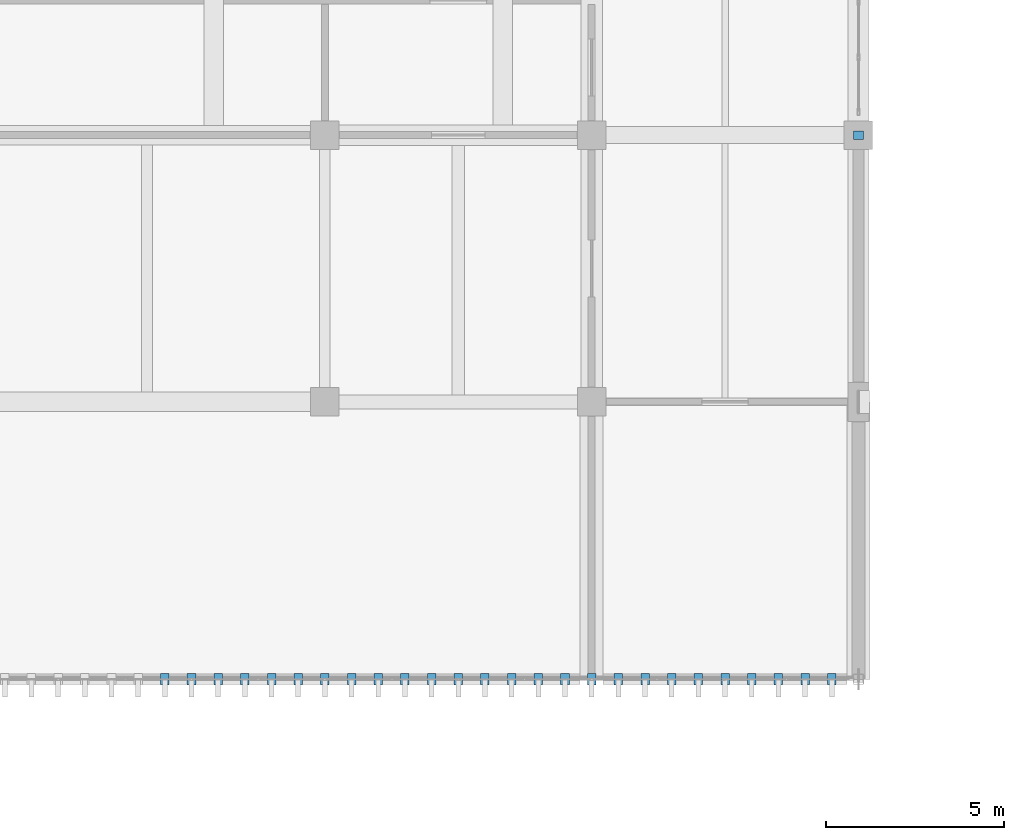
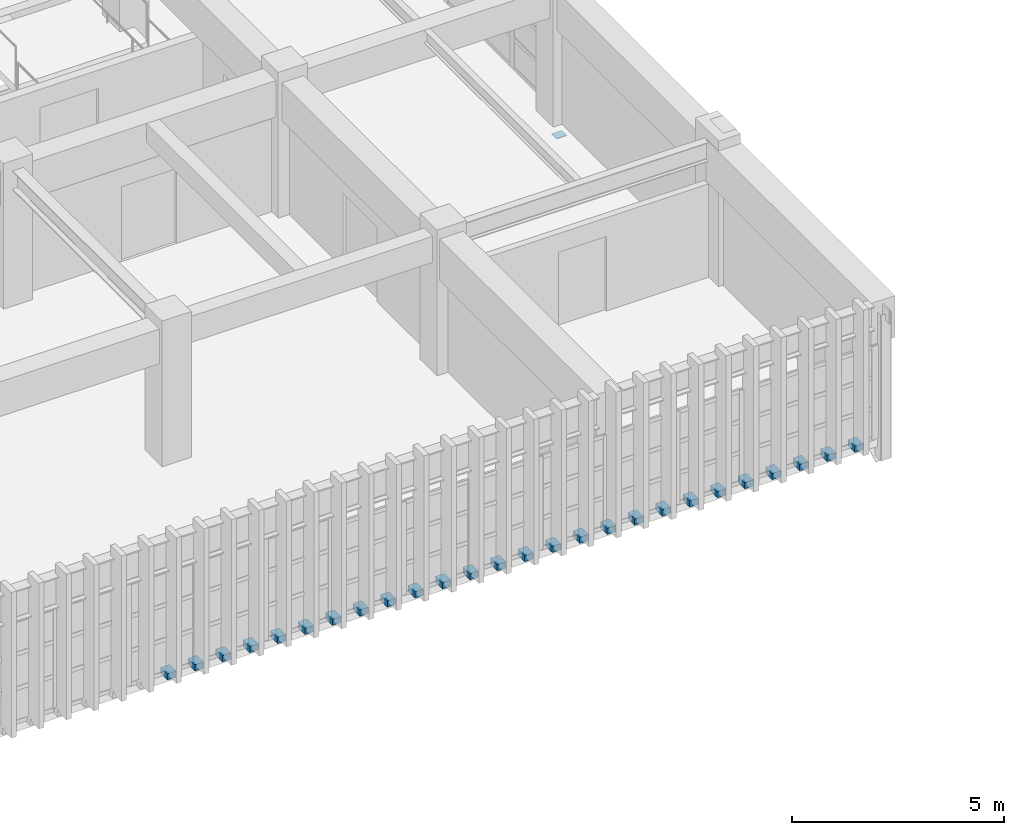
# One storey, part 104 of 124: 27 discrete accessories.
"""IFC4 building model written with IfcOpenShell, lengths in metres."""

from ifc_helpers import new_model, si_unit, direction, frame, origin, origin_2d, place, context, subcontext, project, spatial, rectangle, extrude, material, type_object, element, save


model = new_model("IFC4")

# Units and contexts
model_context = context("Model", 3, precision=1e-05, world=origin(), true_north=direction((0.0, 1.0)))
body_context = subcontext(model_context, "Body", "Model", "MODEL_VIEW")
ifc_project = project(units=[si_unit("LENGTHUNIT", "METRE"), si_unit("AREAUNIT", "SQUARE_METRE"), si_unit("VOLUMEUNIT", "CUBIC_METRE"), si_unit("PLANEANGLEUNIT", "RADIAN"), si_unit("MASSUNIT", "GRAM", prefix="KILO")], contexts=[model_context])

# Site, building, storey
site_placement = place(None, origin())
site = spatial("IfcSite", under=ifc_project, at=site_placement, CompositionType="ELEMENT")
building_placement = place(site_placement, origin())
building = spatial("IfcBuilding", under=site, at=building_placement, Name="Qasida Concert Hall", CompositionType="ELEMENT")
storey_placement = place(building_placement, frame((0.0, 0.0, 9.0)))
storey = spatial("IfcBuildingStorey", under=building, at=storey_placement, Name="L02", CompositionType="ELEMENT", Elevation=9.0)

# Discrete accessories
ifc_material_1 = material(Name="Steel S355J2", Category="steel")
discrete_accessory_type_1 = type_object("IfcDiscreteAccessoryType", Name="ACC-CONN-S355", PredefinedType="BRACKET", material=ifc_material_1)
discrete_accessory_placement = place(storey_placement, frame((105.0, 30.0, -0.612060546875), z_axis=(0.0, 0.0, 1.0), x_axis=(1.0, 0.0, 0.0)))
element("IfcDiscreteAccessory", 1, at=discrete_accessory_placement, inside=storey, type_object=discrete_accessory_type_1, Name="Steel brace/strut end connection CN-0009", PredefinedType="BRACKET", context=body_context, shape_type="SweptSolid", body=[
    extrude(rectangle(XDim=0.280029296875, YDim=0.239990234375, at=origin_2d()), origin(), (0.0, 0.0, 1.0), 0.02392578125),
])
ifc_material_2 = material(Name="Stainless steel EN 1.4401", Category="steel")
discrete_accessory_type_2 = type_object("IfcDiscreteAccessoryType", Name="ACC-FIN-BRK", PredefinedType="BRACKET", material=ifc_material_2)
for number, where, z_axis, x_axis, name in (
    (2, (85.5, 14.699951171875, -0.08984375), (0.0, 0.0, 1.0), (1.0, 0.0, 0.0), "Facade fin anchor bracket FB-044"),
    (3, (86.25, 14.699951171875, -0.08984375), (0.0, 0.0, 1.0), (1.0, 0.0, 0.0), "Facade fin anchor bracket FB-045"),
    (4, (87.0, 14.699951171875, -0.08984375), (0.0, 0.0, 1.0), (1.0, 0.0, 0.0), "Facade fin anchor bracket FB-046"),
    (5, (87.75, 14.699951171875, -0.08984375), (0.0, 0.0, 1.0), (1.0, 0.0, 0.0), "Facade fin anchor bracket FB-047"),
    (6, (88.5, 14.699951171875, -0.08984375), (0.0, 0.0, 1.0), (1.0, 0.0, 0.0), "Facade fin anchor bracket FB-048"),
    (7, (89.25, 14.699951171875, -0.08984375), (0.0, 0.0, 1.0), (1.0, 0.0, 0.0), "Facade fin anchor bracket FB-049"),
    (8, (90.0, 14.699951171875, -0.08984375), (0.0, 0.0, 1.0), (1.0, 0.0, 0.0), "Facade fin anchor bracket FB-050"),
    (9, (90.75, 14.699951171875, -0.08984375), (0.0, 0.0, 1.0), (1.0, 0.0, 0.0), "Facade fin anchor bracket FB-051"),
    (10, (91.5, 14.699951171875, -0.08984375), (0.0, 0.0, 1.0), (1.0, 0.0, 0.0), "Facade fin anchor bracket FB-052"),
    (11, (92.25, 14.699951171875, -0.08984375), (0.0, 0.0, 1.0), (1.0, 0.0, 0.0), "Facade fin anchor bracket FB-053"),
    (12, (93.0, 14.699951171875, -0.08984375), (0.0, 0.0, 1.0), (1.0, 0.0, 0.0), "Facade fin anchor bracket FB-054"),
    (13, (93.75, 14.699951171875, -0.08984375), (0.0, 0.0, 1.0), (1.0, 0.0, 0.0), "Facade fin anchor bracket FB-055"),
    (14, (94.5, 14.699951171875, -0.08984375), (0.0, 0.0, 1.0), (1.0, 0.0, 0.0), "Facade fin anchor bracket FB-056"),
    (15, (95.25, 14.699951171875, -0.08984375), (0.0, 0.0, 1.0), (1.0, 0.0, 0.0), "Facade fin anchor bracket FB-057"),
    (16, (96.0, 14.699951171875, -0.08984375), (0.0, 0.0, 1.0), (1.0, 0.0, 0.0), "Facade fin anchor bracket FB-058"),
    (17, (96.75, 14.699951171875, -0.08984375), (0.0, 0.0, 1.0), (1.0, 0.0, 0.0), "Facade fin anchor bracket FB-059"),
    (18, (97.5, 14.699951171875, -0.08984375), (0.0, 0.0, 1.0), (1.0, 0.0, 0.0), "Facade fin anchor bracket FB-060"),
    (19, (98.25, 14.699951171875, -0.08984375), (0.0, 0.0, 1.0), (1.0, 0.0, 0.0), "Facade fin anchor bracket FB-061"),
    (20, (99.0, 14.699951171875, -0.08984375), (0.0, 0.0, 1.0), (1.0, 0.0, 0.0), "Facade fin anchor bracket FB-062"),
    (21, (99.75, 14.699951171875, -0.08984375), (0.0, 0.0, 1.0), (1.0, 0.0, 0.0), "Facade fin anchor bracket FB-063"),
    (22, (100.5, 14.699951171875, -0.08984375), (0.0, 0.0, 1.0), (1.0, 0.0, 0.0), "Facade fin anchor bracket FB-064"),
    (23, (101.25, 14.699951171875, -0.08984375), (0.0, 0.0, 1.0), (1.0, 0.0, 0.0), "Facade fin anchor bracket FB-065"),
    (24, (102.0, 14.699951171875, -0.08984375), (0.0, 0.0, 1.0), (1.0, 0.0, 0.0), "Facade fin anchor bracket FB-066"),
    (25, (102.75, 14.699951171875, -0.08984375), (0.0, 0.0, 1.0), (1.0, 0.0, 0.0), "Facade fin anchor bracket FB-067"),
    (26, (103.5, 14.699951171875, -0.08984375), (0.0, 0.0, 1.0), (1.0, 0.0, 0.0), "Facade fin anchor bracket FB-068"),
    (27, (104.25, 14.699951171875, -0.08984375), (0.0, 0.0, 1.0), (1.0, 0.0, 0.0), "Facade fin anchor bracket FB-069"),
):
    element("IfcDiscreteAccessory", number, at=place(storey_placement, frame(where, z_axis=z_axis, x_axis=x_axis)), inside=storey, type_object=discrete_accessory_type_2, Name=name, PredefinedType="BRACKET", context=body_context, shape_type="SweptSolid", body=[
        extrude(rectangle(XDim=0.239990234375, YDim=0.320068359375, at=origin_2d()), origin(), (0.0, 0.0, 1.0), 0.179931640625),
    ])

save(model, "model.ifc")
